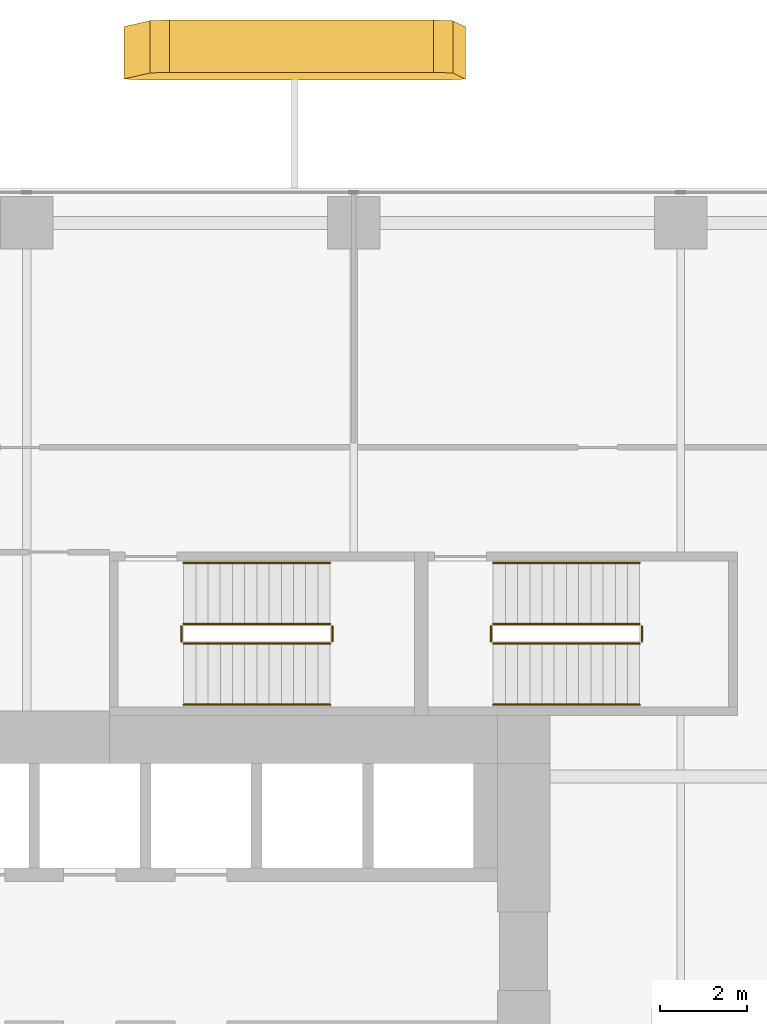
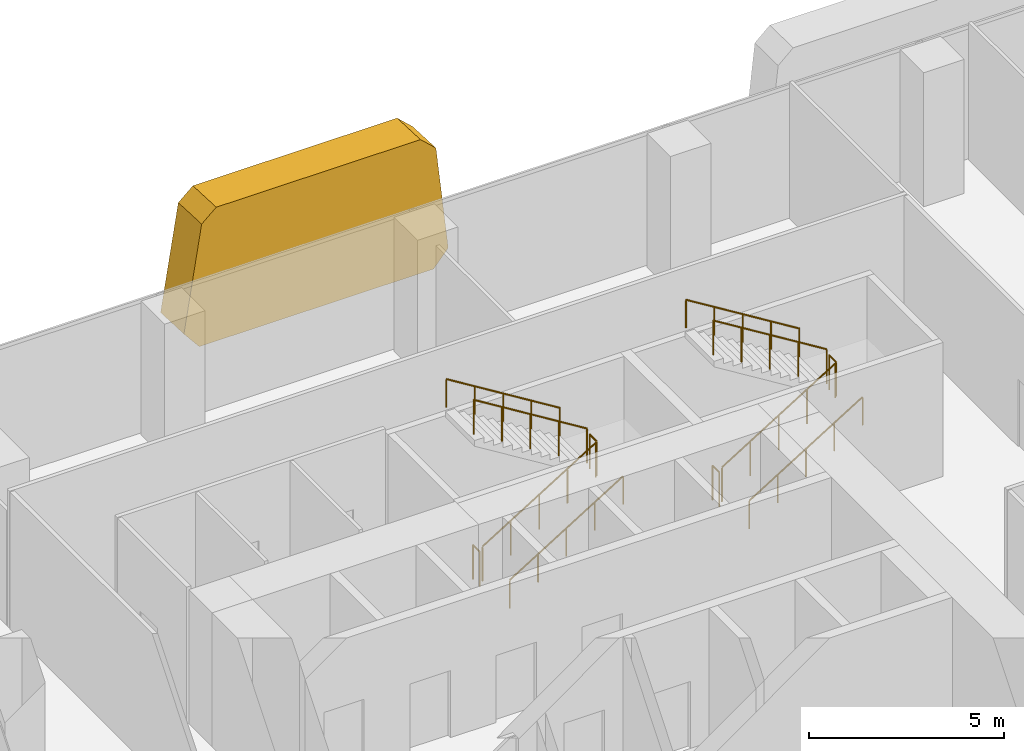
# One storey, part 33 of 35: 12 railings, 1 covering.
"""IFC4 building model written with IfcOpenShell, lengths in metres."""

from ifc_helpers import new_model, si_unit, direction, frame, origin, origin_2d, place, context, subcontext, project, spatial, polyline, circle, outline, extrude, source, transform, mapped, material, layer, layer_set, type_object, element, save


model = new_model("IFC4")

# Units and contexts
model_context = context("Model", 3, precision=1e-05, world=origin(), true_north=direction((0.0, 1.0)))
body_context = subcontext(model_context, "Body", "Model", "MODEL_VIEW")
ifc_project = project(units=[si_unit("LENGTHUNIT", "METRE"), si_unit("AREAUNIT", "SQUARE_METRE"), si_unit("VOLUMEUNIT", "CUBIC_METRE"), si_unit("PLANEANGLEUNIT", "RADIAN"), si_unit("MASSUNIT", "GRAM", prefix="KILO")], contexts=[model_context])

# Site, building, storey
site_placement = place(None, origin())
site = spatial("IfcSite", under=ifc_project, at=site_placement, CompositionType="ELEMENT")
building_placement = place(site_placement, origin())
building = spatial("IfcBuilding", under=site, at=building_placement, Name="Khomas Fold Tower", CompositionType="ELEMENT")
storey_placement = place(building_placement, frame((0.0, 0.0, 69.0)))
storey = spatial("IfcBuildingStorey", under=building, at=storey_placement, Name="L14", CompositionType="ELEMENT", Elevation=69.0)

# Covering
ifc_material_1 = material(Name="Natural stone cladding", Category="masonry")
ifc_layer = layer(ifc_material_1, 1.199951171875)
ifc_layer_set = layer_set([ifc_layer], Name="Natural stone cladding")
covering_type = type_object("IfcCoveringType", Name="SK-Karibib marble stone panel", PredefinedType="CLADDING", material=ifc_layer_set)
covering_placement = place(storey_placement, frame((21.776611328125, 56.635986328125, 3.640625), z_axis=(-2.089109e-06, -0.999041247777, 0.043778821766), x_axis=(0.090380237227, -0.04359983819, -0.99495249476)))
element("IfcCovering", 1, at=covering_placement, inside=storey, type_object=covering_type, Name="OUTER SKIN leaf L14 NS05-1", PredefinedType="CLADDING", context=body_context, shape_type="SweptSolid", body=[
    extrude(outline(polyline([(0.0, 0.0), (3.165878084472008, 0.0), (3.614570361062787, -0.4905586553245234), (2.9869396316462176, -7.406473727108992), (2.4137670901750323, -7.798167862373453), (-0.6715719645412985, -6.910701612478456), (-0.9957268210109862, -6.43757353218738), (-0.448635121350094, -0.40912471029790937), (0.0, 0.0)])), origin(), (0.0, 0.0, -1.0), 1.199951171875),
])

# Railings
ifc_material_2 = material(Name="Steel balustrade", Category="steel")
railing_type_1 = type_object("IfcRailingType", Name="Stair guard", PredefinedType="GUARDRAIL", material=ifc_material_2)
shared_shape_1 = source(origin(), body_context, "Body", "SweptSolid", [
    extrude(circle(Radius=0.02392578125, at=origin_2d()), frame((0.0, 0.0, 1.076171875), z_axis=(0.850606129759, 0.0, 0.525803396734), x_axis=(0.0, 1.0, 0.0)), (0.0, 0.0, 1.0), 3.949951171875),
    extrude(circle(Radius=0.02099609375, at=origin_2d()), origin(), (0.0, 0.0, 1.0), 1.052001953125),
    extrude(circle(Radius=0.02099609375, at=origin_2d()), frame((0.83984375, 0.0, 0.519287109375)), (0.0, 0.0, 1.0), 1.052001953125),
    extrude(circle(Radius=0.02099609375, at=origin_2d()), frame((1.679931640625, 0.0, 1.03857421875)), (0.0, 0.0, 1.0), 1.052001953125),
    extrude(circle(Radius=0.02099609375, at=origin_2d()), frame((2.52001953125, 0.0, 1.5576171875)), (0.0, 0.0, 1.0), 1.052001953125),
    extrude(circle(Radius=0.02099609375, at=origin_2d()), frame((3.35986328125, 0.0, 2.076904296875)), (0.0, 0.0, 1.0), 1.052001953125),
])
railing_1_placement = place(storey_placement, frame((15.60009765625, 43.550048828125, 0.173095703125)))
element("IfcRailing", 2, at=railing_1_placement, inside=storey, type_object=railing_type_1, Name="L14 ST1 stair guard 1", PredefinedType="GUARDRAIL", context=body_context, shape_type="MappedRepresentation", body=[
    mapped(shared_shape_1, transform((0.0, 0.0, 0.0))),
])
shared_shape_2 = source(origin(), body_context, "Body", "SweptSolid", [
    extrude(circle(Radius=0.02392578125, at=origin_2d()), frame((0.0, 0.0, 1.076171875), z_axis=(0.0, 1.0, 0.0), x_axis=(-1.0, 0.0, 0.0)), (0.0, 0.0, 1.0), 0.349853515625),
    extrude(circle(Radius=0.02099609375, at=origin_2d()), origin(), (0.0, 0.0, 1.0), 1.052001953125),
    extrude(circle(Radius=0.02099609375, at=origin_2d()), frame((0.0, 0.349853515625, 0.0)), (0.0, 0.0, 1.0), 1.052001953125),
])
for number, where, name in (
    (3, (19.010009765625, 43.60009765625, 2.25), "L14 ST1 stair guard 2"),
    (4, (15.550048828125, 43.60009765625, 0.0), "L14 ST1 stair guard 4"),
    (5, (26.110107421875, 43.60009765625, 2.25), "L14 ST3 stair guard 2"),
    (6, (22.64990234375, 43.60009765625, 0.0), "L14 ST3 stair guard 4"),
):
    element("IfcRailing", number, at=place(storey_placement, frame(where)), inside=storey, type_object=railing_type_1, Name=name, PredefinedType="GUARDRAIL", context=body_context, shape_type="MappedRepresentation", body=[
        mapped(shared_shape_2, transform((0.0, 0.0, 0.0))),
    ])
shared_shape_3 = source(origin(), body_context, "Body", "SweptSolid", [
    extrude(circle(Radius=0.02392578125, at=origin_2d()), frame((0.0, 0.0, 1.076171875), z_axis=(-0.850606129759, 0.0, 0.525803396734), x_axis=(0.0, -1.0, 0.0)), (0.0, 0.0, 1.0), 3.949951171875),
    extrude(circle(Radius=0.02099609375, at=origin_2d()), origin(), (0.0, 0.0, 1.0), 1.052001953125),
    extrude(circle(Radius=0.02099609375, at=origin_2d()), frame((-0.83984375, 0.0, 0.519287109375)), (0.0, 0.0, 1.0), 1.052001953125),
    extrude(circle(Radius=0.02099609375, at=origin_2d()), frame((-1.679931640625, 0.0, 1.03857421875)), (0.0, 0.0, 1.0), 1.052001953125),
    extrude(circle(Radius=0.02099609375, at=origin_2d()), frame((-2.52001953125, 0.0, 1.5576171875)), (0.0, 0.0, 1.0), 1.052001953125),
    extrude(circle(Radius=0.02099609375, at=origin_2d()), frame((-3.35986328125, 0.0, 2.076904296875)), (0.0, 0.0, 1.0), 1.052001953125),
])
railing_2_placement = place(storey_placement, frame((18.9599609375, 44.0, 2.423095703125)))
element("IfcRailing", 7, at=railing_2_placement, inside=storey, type_object=railing_type_1, Name="L14 ST1 stair guard 3", PredefinedType="GUARDRAIL", context=body_context, shape_type="MappedRepresentation", body=[
    mapped(shared_shape_3, transform((0.0, 0.0, 0.0))),
])
ifc_material_3 = material(Name="Steel handrail", Category="steel")
railing_type_2 = type_object("IfcRailingType", Name="Stair handrail", PredefinedType="HANDRAIL", material=ifc_material_3)
shared_shape_4 = source(origin(), body_context, "Body", "SweptSolid", [
    extrude(circle(Radius=0.02392578125, at=origin_2d()), frame((0.0, 0.0, 0.8759765625), z_axis=(0.850606129759, 0.0, 0.525803396734), x_axis=(0.0, 1.0, 0.0)), (0.0, 0.0, 1.0), 3.949951171875),
    extrude(circle(Radius=0.02099609375, at=origin_2d()), origin(), (0.0, 0.0, 1.0), 0.851806640625),
    extrude(circle(Radius=0.02099609375, at=origin_2d()), frame((0.83984375, 0.0, 0.519287109375)), (0.0, 0.0, 1.0), 0.851806640625),
    extrude(circle(Radius=0.02099609375, at=origin_2d()), frame((1.679931640625, 0.0, 1.03857421875)), (0.0, 0.0, 1.0), 0.851806640625),
    extrude(circle(Radius=0.02099609375, at=origin_2d()), frame((2.52001953125, 0.0, 1.5576171875)), (0.0, 0.0, 1.0), 0.851806640625),
    extrude(circle(Radius=0.02099609375, at=origin_2d()), frame((3.35986328125, 0.0, 2.076904296875)), (0.0, 0.0, 1.0), 0.851806640625),
])
railing_3_placement = place(storey_placement, frame((15.60009765625, 42.14990234375, 0.173095703125)))
element("IfcRailing", 8, at=railing_3_placement, inside=storey, type_object=railing_type_2, Name="L14 ST1 stair handrail 1", PredefinedType="HANDRAIL", context=body_context, shape_type="MappedRepresentation", body=[
    mapped(shared_shape_4, transform((0.0, 0.0, 0.0))),
])
shared_shape_5 = source(origin(), body_context, "Body", "SweptSolid", [
    extrude(circle(Radius=0.02392578125, at=origin_2d()), frame((0.0, 0.0, 0.8759765625), z_axis=(-0.850606129759, 0.0, 0.525803396734), x_axis=(0.0, -1.0, 0.0)), (0.0, 0.0, 1.0), 3.949951171875),
    extrude(circle(Radius=0.02099609375, at=origin_2d()), origin(), (0.0, 0.0, 1.0), 0.851806640625),
    extrude(circle(Radius=0.02099609375, at=origin_2d()), frame((-0.83984375, 0.0, 0.519287109375)), (0.0, 0.0, 1.0), 0.851806640625),
    extrude(circle(Radius=0.02099609375, at=origin_2d()), frame((-1.679931640625, 0.0, 1.03857421875)), (0.0, 0.0, 1.0), 0.851806640625),
    extrude(circle(Radius=0.02099609375, at=origin_2d()), frame((-2.52001953125, 0.0, 1.5576171875)), (0.0, 0.0, 1.0), 0.851806640625),
    extrude(circle(Radius=0.02099609375, at=origin_2d()), frame((-3.35986328125, 0.0, 2.076904296875)), (0.0, 0.0, 1.0), 0.851806640625),
])
railing_4_placement = place(storey_placement, frame((18.9599609375, 45.39990234375, 2.423095703125)))
element("IfcRailing", 9, at=railing_4_placement, inside=storey, type_object=railing_type_2, Name="L14 ST1 stair handrail 2", PredefinedType="HANDRAIL", context=body_context, shape_type="MappedRepresentation", body=[
    mapped(shared_shape_5, transform((0.0, 0.0, 0.0))),
])
shared_shape_6 = source(origin(), body_context, "Body", "SweptSolid", [
    extrude(circle(Radius=0.02392578125, at=origin_2d()), frame((0.0, 0.0, 1.076171875), z_axis=(0.850623216509, 0.0, 0.525775754039), x_axis=(0.0, 1.0, 0.0)), (0.0, 0.0, 1.0), 3.9501953125),
    extrude(circle(Radius=0.02099609375, at=origin_2d()), origin(), (0.0, 0.0, 1.0), 1.052001953125),
    extrude(circle(Radius=0.02099609375, at=origin_2d()), frame((0.840087890625, 0.0, 0.519287109375)), (0.0, 0.0, 1.0), 1.052001953125),
    extrude(circle(Radius=0.02099609375, at=origin_2d()), frame((1.68017578125, 0.0, 1.03857421875)), (0.0, 0.0, 1.0), 1.052001953125),
    extrude(circle(Radius=0.02099609375, at=origin_2d()), frame((2.52001953125, 0.0, 1.5576171875)), (0.0, 0.0, 1.0), 1.052001953125),
    extrude(circle(Radius=0.02099609375, at=origin_2d()), frame((3.360107421875, 0.0, 2.076904296875)), (0.0, 0.0, 1.0), 1.052001953125),
])
railing_5_placement = place(storey_placement, frame((22.699951171875, 43.550048828125, 0.173095703125)))
element("IfcRailing", 10, at=railing_5_placement, inside=storey, type_object=railing_type_1, Name="L14 ST3 stair guard 1", PredefinedType="GUARDRAIL", context=body_context, shape_type="MappedRepresentation", body=[
    mapped(shared_shape_6, transform((0.0, 0.0, 0.0))),
])
shared_shape_7 = source(origin(), body_context, "Body", "SweptSolid", [
    extrude(circle(Radius=0.02392578125, at=origin_2d()), frame((0.0, 0.0, 1.076171875), z_axis=(-0.850623216509, 0.0, 0.525775754039), x_axis=(0.0, -1.0, 0.0)), (0.0, 0.0, 1.0), 3.9501953125),
    extrude(circle(Radius=0.02099609375, at=origin_2d()), origin(), (0.0, 0.0, 1.0), 1.052001953125),
    extrude(circle(Radius=0.02099609375, at=origin_2d()), frame((-0.840087890625, 0.0, 0.519287109375)), (0.0, 0.0, 1.0), 1.052001953125),
    extrude(circle(Radius=0.02099609375, at=origin_2d()), frame((-1.68017578125, 0.0, 1.03857421875)), (0.0, 0.0, 1.0), 1.052001953125),
    extrude(circle(Radius=0.02099609375, at=origin_2d()), frame((-2.52001953125, 0.0, 1.5576171875)), (0.0, 0.0, 1.0), 1.052001953125),
    extrude(circle(Radius=0.02099609375, at=origin_2d()), frame((-3.360107421875, 0.0, 2.076904296875)), (0.0, 0.0, 1.0), 1.052001953125),
])
railing_6_placement = place(storey_placement, frame((26.06005859375, 44.0, 2.423095703125)))
element("IfcRailing", 11, at=railing_6_placement, inside=storey, type_object=railing_type_1, Name="L14 ST3 stair guard 3", PredefinedType="GUARDRAIL", context=body_context, shape_type="MappedRepresentation", body=[
    mapped(shared_shape_7, transform((0.0, 0.0, 0.0))),
])
shared_shape_8 = source(origin(), body_context, "Body", "SweptSolid", [
    extrude(circle(Radius=0.02392578125, at=origin_2d()), frame((0.0, 0.0, 0.8759765625), z_axis=(0.850623216509, 0.0, 0.525775754039), x_axis=(0.0, 1.0, 0.0)), (0.0, 0.0, 1.0), 3.9501953125),
    extrude(circle(Radius=0.02099609375, at=origin_2d()), origin(), (0.0, 0.0, 1.0), 0.851806640625),
    extrude(circle(Radius=0.02099609375, at=origin_2d()), frame((0.840087890625, 0.0, 0.519287109375)), (0.0, 0.0, 1.0), 0.851806640625),
    extrude(circle(Radius=0.02099609375, at=origin_2d()), frame((1.68017578125, 0.0, 1.03857421875)), (0.0, 0.0, 1.0), 0.851806640625),
    extrude(circle(Radius=0.02099609375, at=origin_2d()), frame((2.52001953125, 0.0, 1.5576171875)), (0.0, 0.0, 1.0), 0.851806640625),
    extrude(circle(Radius=0.02099609375, at=origin_2d()), frame((3.360107421875, 0.0, 2.076904296875)), (0.0, 0.0, 1.0), 0.851806640625),
])
railing_7_placement = place(storey_placement, frame((22.699951171875, 42.14990234375, 0.173095703125)))
element("IfcRailing", 12, at=railing_7_placement, inside=storey, type_object=railing_type_2, Name="L14 ST3 stair handrail 1", PredefinedType="HANDRAIL", context=body_context, shape_type="MappedRepresentation", body=[
    mapped(shared_shape_8, transform((0.0, 0.0, 0.0))),
])
shared_shape_9 = source(origin(), body_context, "Body", "SweptSolid", [
    extrude(circle(Radius=0.02392578125, at=origin_2d()), frame((0.0, 0.0, 0.8759765625), z_axis=(-0.850623216509, 0.0, 0.525775754039), x_axis=(0.0, -1.0, 0.0)), (0.0, 0.0, 1.0), 3.9501953125),
    extrude(circle(Radius=0.02099609375, at=origin_2d()), origin(), (0.0, 0.0, 1.0), 0.851806640625),
    extrude(circle(Radius=0.02099609375, at=origin_2d()), frame((-0.840087890625, 0.0, 0.519287109375)), (0.0, 0.0, 1.0), 0.851806640625),
    extrude(circle(Radius=0.02099609375, at=origin_2d()), frame((-1.68017578125, 0.0, 1.03857421875)), (0.0, 0.0, 1.0), 0.851806640625),
    extrude(circle(Radius=0.02099609375, at=origin_2d()), frame((-2.52001953125, 0.0, 1.5576171875)), (0.0, 0.0, 1.0), 0.851806640625),
    extrude(circle(Radius=0.02099609375, at=origin_2d()), frame((-3.360107421875, 0.0, 2.076904296875)), (0.0, 0.0, 1.0), 0.851806640625),
])
railing_8_placement = place(storey_placement, frame((26.06005859375, 45.39990234375, 2.423095703125)))
element("IfcRailing", 13, at=railing_8_placement, inside=storey, type_object=railing_type_2, Name="L14 ST3 stair handrail 2", PredefinedType="HANDRAIL", context=body_context, shape_type="MappedRepresentation", body=[
    mapped(shared_shape_9, transform((0.0, 0.0, 0.0))),
])

save(model, "model.ifc")
